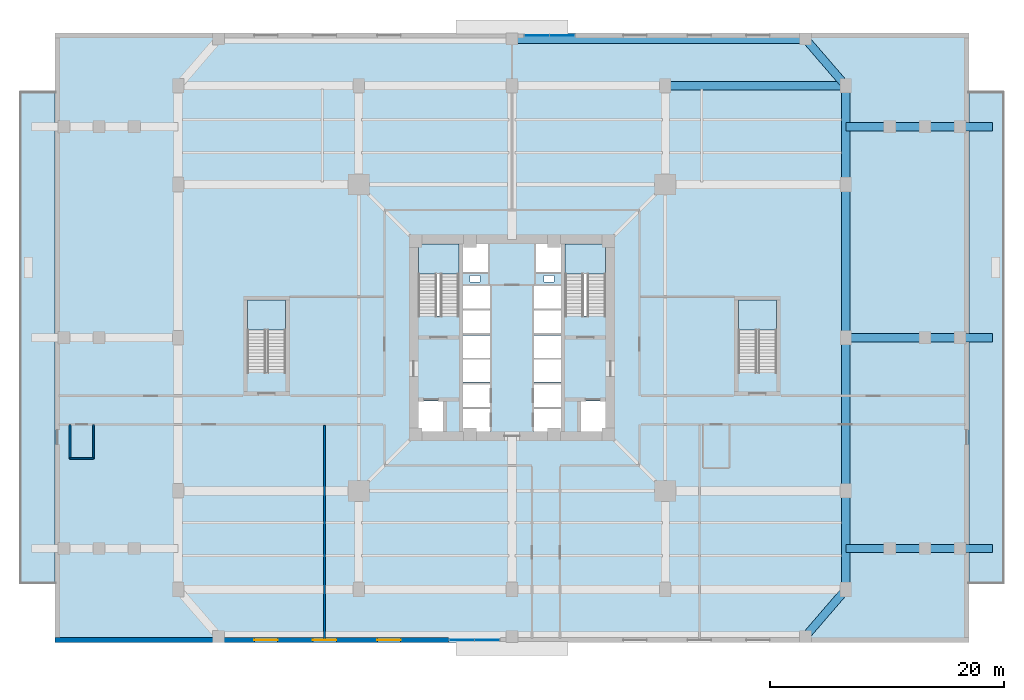
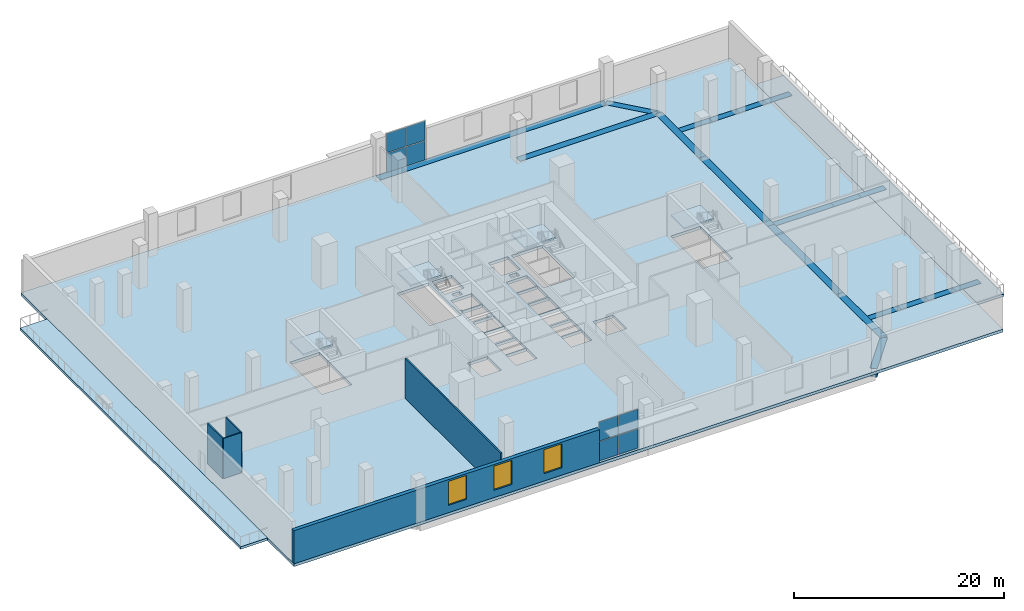
# One storey, part 5 of 17: 19 beams, 8 plates, 7 slabs, 5 walls, 3 windows, 3 openings, 6 elements without a shape of their own.
"""IFC4 building model written with IfcOpenShell, lengths in metres."""

from ifc_helpers import new_model, si_unit, direction, frame, frame_2d, origin, origin_2d, place, context, subcontext, project, spatial, polyline, rectangle, outline, extrude, source, transform, mapped, material, layer, layer_set, material_profile, profile_set, type_object, element, fill, aggregate, save


model = new_model("IFC4")

# Units and contexts
model_context = context("Model", 3, precision=1e-05, world=origin(), true_north=direction((0.0, 1.0)))
body_context = subcontext(model_context, "Body", "Model", "MODEL_VIEW")
ifc_project = project(units=[si_unit("LENGTHUNIT", "METRE"), si_unit("AREAUNIT", "SQUARE_METRE"), si_unit("VOLUMEUNIT", "CUBIC_METRE"), si_unit("PLANEANGLEUNIT", "RADIAN"), si_unit("MASSUNIT", "GRAM", prefix="KILO"), si_unit("THERMODYNAMICTEMPERATUREUNIT", "KELVIN")], contexts=[model_context])

# Site, building, storey
site_placement = place(None, origin())
site = spatial("IfcSite", under=ifc_project, at=site_placement, CompositionType="ELEMENT")
building_placement = place(site_placement, origin())
building = spatial("IfcBuilding", under=site, at=building_placement, Name="Kosmvard Interchange Tower", CompositionType="ELEMENT")
storey_placement = place(building_placement, frame((0.0, 0.0, 6.0)))
storey = spatial("IfcBuildingStorey", under=building, at=storey_placement, Name="L01", CompositionType="ELEMENT", Elevation=6.0)

# Beams
ifc_material_1 = material(Name="Concrete C60/75", Category="concrete")
ifc_material_profile_1 = material_profile(ifc_material_1, rectangle(XDim=0.75, YDim=1.050048828125, at=origin_2d()), Name="RCG 750x1050")
ifc_profile_set_1 = profile_set([ifc_material_profile_1], Name="Concrete C60/75")
beam_type_1 = type_object("IfcBeamType", Name="Concourse Mid-Span RC Girder 750x1050 C60/75", PredefinedType="BEAM", material=ifc_profile_set_1)
shared_shape_1 = source(origin(), body_context, "Body", "SweptSolid", [
    extrude(rectangle(XDim=0.75, YDim=1.050048828125, at=origin_2d()), origin(), (0.0, 0.0, 1.0), 15.4189453125),
])
beam_1_placement = place(storey_placement, frame((13.0810546875, 21.5, -0.52490234375), z_axis=(1.0, 0.0, 0.0), x_axis=(0.0, 1.0, 0.0)))
element("IfcBeam", 1, at=beam_1_placement, inside=storey, type_object=beam_type_1, Name="BM-L01-PG-N4", PredefinedType="BEAM", context=body_context, shape_type="MappedRepresentation", body=[
    mapped(shared_shape_1, transform((0.0, 0.0, 0.0), scale=1.0)),
])
shared_shape_2 = source(origin(), body_context, "Body", "SweptSolid", [
    extrude(rectangle(XDim=0.75, YDim=1.050048828125, at=origin_2d()), origin(), (0.0, 0.0, 1.0), 13.0810546875),
])
for number, where, z_axis, x_axis, name in (
    (2, (28.5, -13.0810546875, -0.52490234375), (0.0, 1.0, 0.0), (-1.0, 0.0, 0.0), "BM-L01-PG-E2"),
    (3, (28.5, 0.0, -0.52490234375), (0.0, 1.0, 0.0), (-1.0, 0.0, 0.0), "BM-L01-PG-E3"),
):
    element("IfcBeam", number, at=place(storey_placement, frame(where, z_axis=z_axis, x_axis=x_axis)), inside=storey, type_object=beam_type_1, Name=name, PredefinedType="BEAM", context=body_context, shape_type="MappedRepresentation", body=[
        mapped(shared_shape_2, transform((0.0, 0.0, 0.0), scale=1.0)),
    ])
shared_shape_3 = source(origin(), body_context, "Body", "SweptSolid", [
    extrude(rectangle(XDim=0.75, YDim=1.050048828125, at=origin_2d()), origin(), (0.0, 0.0, 1.0), 8.4189453125),
])
for number, where, z_axis, x_axis, name in (
    (4, (28.5, -21.5, -0.52490234375), (0.0, 1.0, 0.0), (-1.0, 0.0, 0.0), "BM-L01-PG-E1"),
    (5, (28.5, 13.0810546875, -0.52490234375), (0.0, 1.0, 0.0), (-1.0, 0.0, 0.0), "BM-L01-PG-E4"),
):
    element("IfcBeam", number, at=place(storey_placement, frame(where, z_axis=z_axis, x_axis=x_axis)), inside=storey, type_object=beam_type_1, Name=name, PredefinedType="BEAM", context=body_context, shape_type="MappedRepresentation", body=[
        mapped(shared_shape_3, transform((0.0, 0.0, 0.0), scale=1.0)),
    ])
ifc_material_profile_2 = material_profile(ifc_material_1, rectangle(XDim=0.800048828125, YDim=1.14990234375, at=origin_2d()), Name="RCG 800x1150")
ifc_profile_set_2 = profile_set([ifc_material_profile_2], Name="Concrete C60/75")
beam_type_2 = type_object("IfcBeamType", Name="Concourse Long-Span RC Girder 800x1150 C60/75", PredefinedType="BEAM", material=ifc_profile_set_2)
shared_shape_4 = source(origin(), body_context, "Body", "SweptSolid", [
    extrude(rectangle(XDim=0.800048828125, YDim=1.14990234375, at=origin_2d()), origin(), (0.0, 0.0, 1.0), 25.050048828125),
])
beam_2_placement = place(storey_placement, frame((0.0, 25.5, -0.574951171875), z_axis=(1.0, 0.0, 0.0), x_axis=(0.0, 1.0, 0.0)))
element("IfcBeam", 6, at=beam_2_placement, inside=storey, type_object=beam_type_2, Name="BM-L01-PG-TN2", PredefinedType="BEAM", context=body_context, shape_type="MappedRepresentation", body=[
    mapped(shared_shape_4, transform((0.0, 0.0, 0.0), scale=1.0)),
])
ifc_material_profile_3 = material_profile(ifc_material_1, rectangle(XDim=0.699951171875, YDim=1.0, at=origin_2d()), Name="RCG 700x1000")
ifc_profile_set_3 = profile_set([ifc_material_profile_3], Name="Concrete C60/75")
beam_type_3 = type_object("IfcBeamType", Name="Concourse Primary RC Girder 700x1000 C60/75", PredefinedType="BEAM", material=ifc_profile_set_3)
shared_shape_5 = source(origin(), body_context, "Body", "SweptSolid", [
    extrude(rectangle(XDim=0.699951171875, YDim=1.0, at=origin_2d()), origin(), (0.0, 0.0, 1.0), 5.2822265625),
])
for number, where, z_axis, x_axis, name in (
    (7, (25.050048828125, -25.5, -0.5), (0.653121547432, 0.757253091298, 0.0), (-0.757253091298, 0.653121547432, 0.0), "BM-L01-PG-TSR"),
    (8, (25.050048828125, 25.5, -0.5), (0.653121547432, -0.757253091298, 0.0), (0.757253091298, 0.653121547432, 0.0), "BM-L01-PG-TNR"),
):
    element("IfcBeam", number, at=place(storey_placement, frame(where, z_axis=z_axis, x_axis=x_axis)), inside=storey, type_object=beam_type_3, Name=name, PredefinedType="BEAM", context=body_context, shape_type="MappedRepresentation", body=[
        mapped(shared_shape_5, transform((0.0, 0.0, 0.0), scale=1.0)),
    ])
shared_shape_6 = source(origin(), body_context, "Body", "SweptSolid", [
    extrude(rectangle(XDim=0.699951171875, YDim=1.0, at=origin_2d()), origin(), (0.0, 0.0, 1.0), 3.75),
])
for number, where, z_axis, x_axis, name in (
    (9, (28.5, -18.0, -0.5), (1.0, 0.0, 0.0), (0.0, 1.0, 0.0), "BM-L01-PG-TCE11"),
    (10, (28.5, 18.0, -0.5), (1.0, 0.0, 0.0), (0.0, 1.0, 0.0), "BM-L01-PG-TCE31"),
):
    element("IfcBeam", number, at=place(storey_placement, frame(where, z_axis=z_axis, x_axis=x_axis)), inside=storey, type_object=beam_type_3, Name=name, PredefinedType="BEAM", context=body_context, shape_type="MappedRepresentation", body=[
        mapped(shared_shape_6, transform((0.0, 0.0, 0.0), scale=1.0)),
    ])
shared_shape_7 = source(origin(), body_context, "Body", "SweptSolid", [
    extrude(rectangle(XDim=0.699951171875, YDim=1.0, at=origin_2d()), origin(), (0.0, 0.0, 1.0), 3.0),
])
for number, where, z_axis, x_axis, name in (
    (11, (32.25, -18.0, -0.5), (1.0, 0.0, 0.0), (0.0, 1.0, 0.0), "BM-L01-PG-TCE12"),
    (12, (35.25, -18.0, -0.5), (1.0, 0.0, 0.0), (0.0, 1.0, 0.0), "BM-L01-PG-TCE13"),
    (13, (35.25, 0.0, -0.5), (1.0, 0.0, 0.0), (0.0, 1.0, 0.0), "BM-L01-PG-TCE22"),
    (14, (32.25, 18.0, -0.5), (1.0, 0.0, 0.0), (0.0, 1.0, 0.0), "BM-L01-PG-TCE32"),
    (15, (35.25, 18.0, -0.5), (1.0, 0.0, 0.0), (0.0, 1.0, 0.0), "BM-L01-PG-TCE33"),
):
    element("IfcBeam", number, at=place(storey_placement, frame(where, z_axis=z_axis, x_axis=x_axis)), inside=storey, type_object=beam_type_3, Name=name, PredefinedType="BEAM", context=body_context, shape_type="MappedRepresentation", body=[
        mapped(shared_shape_7, transform((0.0, 0.0, 0.0), scale=1.0)),
    ])
shared_shape_8 = source(origin(), body_context, "Body", "SweptSolid", [
    extrude(rectangle(XDim=0.699951171875, YDim=1.0, at=origin_2d()), origin(), (0.0, 0.0, 1.0), 2.75),
])
for number, where, z_axis, x_axis, name in (
    (16, (38.25, -18.0, -0.5), (1.0, 0.0, 0.0), (0.0, 1.0, 0.0), "BM-L01-PG-TCE14"),
    (17, (38.25, 0.0, -0.5), (1.0, 0.0, 0.0), (0.0, 1.0, 0.0), "BM-L01-PG-TCE23"),
    (18, (38.25, 18.0, -0.5), (1.0, 0.0, 0.0), (0.0, 1.0, 0.0), "BM-L01-PG-TCE34"),
):
    element("IfcBeam", number, at=place(storey_placement, frame(where, z_axis=z_axis, x_axis=x_axis)), inside=storey, type_object=beam_type_3, Name=name, PredefinedType="BEAM", context=body_context, shape_type="MappedRepresentation", body=[
        mapped(shared_shape_8, transform((0.0, 0.0, 0.0), scale=1.0)),
    ])
shared_shape_9 = source(origin(), body_context, "Body", "SweptSolid", [
    extrude(rectangle(XDim=0.699951171875, YDim=1.0, at=origin_2d()), origin(), (0.0, 0.0, 1.0), 6.75),
])
beam_3_placement = place(storey_placement, frame((28.5, 0.0, -0.5), z_axis=(1.0, 0.0, 0.0), x_axis=(0.0, 1.0, 0.0)))
element("IfcBeam", 19, at=beam_3_placement, inside=storey, type_object=beam_type_3, Name="BM-L01-PG-TCE21", PredefinedType="BEAM", context=body_context, shape_type="MappedRepresentation", body=[
    mapped(shared_shape_9, transform((0.0, 0.0, 0.0), scale=1.0)),
])

# Slabs
ifc_material_2 = material(Name="Precast concrete C45/55", Category="concrete")
ifc_layer_1 = layer(ifc_material_2, 0.2900390625, Name="Precast concrete C45/55")
ifc_layer_set_1 = layer_set([ifc_layer_1], Name="Precast concrete C45/55")
slab_type_1 = type_object("IfcSlabType", Name="Cascade Garden Terrace Slab 290 C45/55", PredefinedType="FLOOR", material=ifc_layer_set_1)
slab_1_placement = place(storey_placement, frame((0.0, 0.0, -0.2900390625)))
element("IfcSlab", 20, at=slab_1_placement, inside=storey, type_object=slab_type_1, Name="L01 Outdoor Terrace Balcony Slab TER-L01-W", PredefinedType="FLOOR", context=body_context, shape_type="SweptSolid", body=[
    extrude(outline(polyline([(-42.0, -21.0), (-39.0, -21.0), (-39.0, 21.0), (-42.0, 21.0), (-42.0, -21.0)])), origin(), (0.0, 0.0, 1.0), 0.2900390625),
])
slab_2_placement = place(storey_placement, frame((0.0, 0.0, -0.2900390625)))
element("IfcSlab", 21, at=slab_2_placement, inside=storey, type_object=slab_type_1, Name="L01 Outdoor Terrace Balcony Slab TER-L01-E", PredefinedType="FLOOR", context=body_context, shape_type="SweptSolid", body=[
    extrude(outline(polyline([(39.0, -21.0), (42.0, -21.0), (42.0, 21.0), (39.0, 21.0), (39.0, -21.0)])), origin(), (0.0, 0.0, 1.0), 0.2900390625),
])
ifc_material_3 = material(Name="Concrete C50/60", Category="concrete")
ifc_layer_2 = layer(ifc_material_3, 0.340087890625, Name="Concrete C50/60")
ifc_layer_set_2 = layer_set([ifc_layer_2], Name="Concrete C50/60")
slab_type_2 = type_object("IfcSlabType", Name="Podium Commercial Floor Slab 340 C50/60", PredefinedType="FLOOR", material=ifc_layer_set_2)
slab_3_placement = place(storey_placement, frame((0.0, 0.0, -0.340087890625)))
element("IfcSlab", 22, at=slab_3_placement, inside=storey, type_object=slab_type_2, Name="L01 Structural Floor Slab", PredefinedType="FLOOR", context=body_context, shape_type="SweptSolid", body=[
    extrude(outline(polyline([(-39.0, -26.0), (39.0, -26.0), (39.0, 26.0), (-39.0, 26.0), (-39.0, -26.0)]), holes=[polyline([(-8.0, 1.8349609375), (-4.5400390625, 1.8349609375), (-4.5400390625, 8.0), (-8.0, 8.0), (-8.0, 1.8349609375)]), polyline([(4.5400390625, 1.8349609375), (8.0, 1.8349609375), (8.0, 8.0), (4.5400390625, 8.0), (4.5400390625, 1.8349609375)]), polyline([(-22.580078125, -2.965087890625), (-19.320068359375, -2.965087890625), (-19.320068359375, 3.199951171875), (-22.580078125, 3.199951171875), (-22.580078125, -2.965087890625)]), polyline([(19.320068359375, -2.965087890625), (22.580078125, -2.965087890625), (22.580078125, 3.199951171875), (19.320068359375, 3.199951171875), (19.320068359375, -2.965087890625)]), polyline([(-8.0, -8.0), (-5.800048828125, -8.0), (-5.800048828125, -5.39990234375), (-8.0, -5.39990234375), (-8.0, -8.0)]), polyline([(5.800048828125, -8.0), (8.0, -8.0), (8.0, -5.39990234375), (5.800048828125, -5.39990234375), (5.800048828125, -8.0)]), polyline([(-4.179931640625, -8.0), (-1.8798828125, -8.0), (-1.8798828125, -6.06005859375), (-4.179931640625, -6.06005859375), (-4.179931640625, -8.0)]), polyline([(-4.179931640625, -5.93994140625), (-1.8798828125, -5.93994140625), (-1.8798828125, -4.0), (-4.179931640625, -4.0), (-4.179931640625, -5.93994140625)]), polyline([(1.8798828125, -8.0), (4.179931640625, -8.0), (4.179931640625, -6.06005859375), (1.8798828125, -6.06005859375), (1.8798828125, -8.0)]), polyline([(1.8798828125, -5.93994140625), (4.179931640625, -5.93994140625), (4.179931640625, -4.0), (1.8798828125, -4.0), (1.8798828125, -5.93994140625)]), polyline([(-4.179931640625, -3.800048828125), (-1.8798828125, -3.800048828125), (-1.8798828125, -1.860107421875), (-4.179931640625, -1.860107421875), (-4.179931640625, -3.800048828125)]), polyline([(-4.179931640625, -1.739990234375), (-1.8798828125, -1.739990234375), (-1.8798828125, 0.199951171875), (-4.179931640625, 0.199951171875), (-4.179931640625, -1.739990234375)]), polyline([(1.8798828125, -3.800048828125), (4.179931640625, -3.800048828125), (4.179931640625, -1.860107421875), (1.8798828125, -1.860107421875), (1.8798828125, -3.800048828125)]), polyline([(1.8798828125, -1.739990234375), (4.179931640625, -1.739990234375), (4.179931640625, 0.199951171875), (1.8798828125, 0.199951171875), (1.8798828125, -1.739990234375)]), polyline([(-4.179931640625, 0.39990234375), (-1.8798828125, 0.39990234375), (-1.8798828125, 2.340087890625), (-4.179931640625, 2.340087890625), (-4.179931640625, 0.39990234375)]), polyline([(-4.179931640625, 2.4599609375), (-1.8798828125, 2.4599609375), (-1.8798828125, 4.39990234375), (-4.179931640625, 4.39990234375), (-4.179931640625, 2.4599609375)]), polyline([(1.8798828125, 0.39990234375), (4.179931640625, 0.39990234375), (4.179931640625, 2.340087890625), (1.8798828125, 2.340087890625), (1.8798828125, 0.39990234375)]), polyline([(1.8798828125, 2.4599609375), (4.179931640625, 2.4599609375), (4.179931640625, 4.39990234375), (1.8798828125, 4.39990234375), (1.8798828125, 2.4599609375)]), polyline([(-4.179931640625, 5.60009765625), (-2.0400390625, 5.60009765625), (-2.0400390625, 8.0), (-4.179931640625, 8.0), (-4.179931640625, 5.60009765625)]), polyline([(2.0400390625, 5.60009765625), (4.179931640625, 5.60009765625), (4.179931640625, 8.0), (2.0400390625, 8.0), (2.0400390625, 5.60009765625)]), polyline([(-3.56494140625, 4.739990234375), (-2.715087890625, 4.739990234375), (-2.715087890625, 5.2900390625), (-3.56494140625, 5.2900390625), (-3.56494140625, 4.739990234375)]), polyline([(2.715087890625, 4.739990234375), (3.56494140625, 4.739990234375), (3.56494140625, 5.2900390625), (2.715087890625, 5.2900390625), (2.715087890625, 4.739990234375)])]), origin(), (0.0, 0.0, 1.0), 0.340087890625),
])

# Stair, slab
stair_type = type_object("IfcStairType", Name="Dog-Leg Core Exit Stair H5000 C50/60", PredefinedType="HALF_TURN_STAIR", material=ifc_material_3)
stair_1_placement = place(storey_placement, origin())
stair_1 = element("IfcStair", 23, at=stair_1_placement, inside=storey, type_object=stair_type, Name="L01 Protected Exit Stair ST-1", PredefinedType="HALF_TURN_STAIR")
ifc_layer_3 = layer(ifc_material_3, 0.199951171875, Name="Concrete C50/60")
ifc_layer_set_3 = layer_set([ifc_layer_3], Name="Concrete C50/60")
slab_type_3 = type_object("IfcSlabType", Name="Stair Half-Landing Slab 200 C50/60", PredefinedType="LANDING", material=ifc_layer_set_3)
slab_4_placement = place(storey_placement, frame((0.0, 0.0, 2.300048828125)))
slab_4 = element("IfcSlab", 24, at=slab_4_placement, type_object=slab_type_3, Name="ST-1 landing 1", PredefinedType="LANDING", context=body_context, shape_type="SweptSolid", body=[
    extrude(outline(polyline([(-4.5400390625, 5.43994140625), (-4.5400390625, 8.0), (-8.0, 8.0), (-8.0, 5.43994140625), (-4.5400390625, 5.43994140625)])), origin(), (0.0, 0.0, 1.0), 0.199951171875),
])
aggregate(stair_1, [slab_4])

stair_2_placement = place(storey_placement, origin())
stair_2 = element("IfcStair", 25, at=stair_2_placement, inside=storey, type_object=stair_type, Name="L01 Protected Exit Stair ST-2", PredefinedType="HALF_TURN_STAIR")
slab_5_placement = place(storey_placement, frame((0.0, 0.0, 2.300048828125)))
slab_5 = element("IfcSlab", 26, at=slab_5_placement, type_object=slab_type_3, Name="ST-2 landing 1", PredefinedType="LANDING", context=body_context, shape_type="SweptSolid", body=[
    extrude(outline(polyline([(8.0, 5.43994140625), (8.0, 8.0), (4.5400390625, 8.0), (4.5400390625, 5.43994140625), (8.0, 5.43994140625)])), origin(), (0.0, 0.0, 1.0), 0.199951171875),
])
aggregate(stair_2, [slab_5])

stair_3_placement = place(storey_placement, origin())
stair_3 = element("IfcStair", 27, at=stair_3_placement, inside=storey, type_object=stair_type, Name="L01 Podium Concourse Stair ST-3", PredefinedType="HALF_TURN_STAIR")
slab_6_placement = place(storey_placement, frame((0.0, 0.0, 2.300048828125)))
slab_6 = element("IfcSlab", 28, at=slab_6_placement, type_object=slab_type_3, Name="ST-3 landing 1", PredefinedType="LANDING", context=body_context, shape_type="SweptSolid", body=[
    extrude(outline(polyline([(-19.320068359375, 0.639892578125), (-19.320068359375, 3.199951171875), (-22.580078125, 3.199951171875), (-22.580078125, 0.639892578125), (-19.320068359375, 0.639892578125)])), origin(), (0.0, 0.0, 1.0), 0.199951171875),
])
aggregate(stair_3, [slab_6])

stair_4_placement = place(storey_placement, origin())
stair_4 = element("IfcStair", 29, at=stair_4_placement, inside=storey, type_object=stair_type, Name="L01 Podium Concourse Stair ST-4", PredefinedType="HALF_TURN_STAIR")
slab_7_placement = place(storey_placement, frame((0.0, 0.0, 2.300048828125)))
slab_7 = element("IfcSlab", 30, at=slab_7_placement, type_object=slab_type_3, Name="ST-4 landing 1", PredefinedType="LANDING", context=body_context, shape_type="SweptSolid", body=[
    extrude(outline(polyline([(22.580078125, 0.639892578125), (22.580078125, 3.199951171875), (19.320068359375, 3.199951171875), (19.320068359375, 0.639892578125), (22.580078125, 0.639892578125)])), origin(), (0.0, 0.0, 1.0), 0.199951171875),
])
aggregate(stair_4, [slab_7])

# Curtain wall, plates
ifc_material_4 = material(Name="Architectural anodised aluminium", Category="aluminium")
ifc_layer_4 = layer(ifc_material_4, 0.199951171875, Name="Architectural anodised aluminium")
ifc_layer_set_4 = layer_set([ifc_layer_4], Name="Architectural anodised aluminium")
curtain_wall_type = type_object("IfcCurtainWallType", Name="CW-2 Cascade Terrace Hall Curtain Wall", PredefinedType="NOTDEFINED", material=ifc_layer_set_4)
curtain_wall_1_placement = place(storey_placement, origin())
curtain_wall_1 = element("IfcCurtainWall", 31, at=curtain_wall_1_placement, inside=storey, type_object=curtain_wall_type, Name="L01 South Terrace Hall Curtain Wall", PredefinedType="NOTDEFINED")
ifc_material_5 = material(Name="Low-E solar-control double glazing", Category="glass")
ifc_layer_5 = layer(ifc_material_5, 0.031982421875, Name="Low-E solar-control double glazing")
ifc_layer_set_5 = layer_set([ifc_layer_5], Name="Low-E solar-control double glazing")
plate_type = type_object("IfcPlateType", Name="Sky-Garden Vision Curtain Panel 32", PredefinedType="CURTAIN_PANEL", material=ifc_layer_set_5)
shared_shape_10 = source(origin(), body_context, "Body", "SweptSolid", [
    extrude(rectangle(XDim=2.094970703125, YDim=0.031982421875, at=origin_2d()), origin(), (0.0, 0.0, 1.0), 2.232421875),
])
plate_1_placement = place(storey_placement, frame((-4.282470703125, -25.800048828125, 0.06494140625), z_axis=(0.0, 0.0, 1.0), x_axis=(1.0, 0.0, 0.0)))
plate_1 = element("IfcPlate", 32, at=plate_1_placement, type_object=plate_type, Name="CW-2 panel 1.1", PredefinedType="CURTAIN_PANEL", context=body_context, shape_type="MappedRepresentation", body=[
    mapped(shared_shape_10, transform((0.0, 0.0, 0.0), scale=1.0)),
])
plate_2_placement = place(storey_placement, frame((-4.282470703125, -25.800048828125, 2.362548828125), z_axis=(0.0, 0.0, 1.0), x_axis=(1.0, 0.0, 0.0)))
plate_2 = element("IfcPlate", 33, at=plate_2_placement, type_object=plate_type, Name="CW-2 panel 1.2", PredefinedType="CURTAIN_PANEL", context=body_context, shape_type="MappedRepresentation", body=[
    mapped(shared_shape_10, transform((0.0, 0.0, 0.0), scale=1.0)),
])
plate_3_placement = place(storey_placement, frame((-2.117431640625, -25.800048828125, 0.06494140625), z_axis=(0.0, 0.0, 1.0), x_axis=(1.0, 0.0, 0.0)))
plate_3 = element("IfcPlate", 34, at=plate_3_placement, type_object=plate_type, Name="CW-2 panel 2.1", PredefinedType="CURTAIN_PANEL", context=body_context, shape_type="MappedRepresentation", body=[
    mapped(shared_shape_10, transform((0.0, 0.0, 0.0), scale=1.0)),
])
plate_4_placement = place(storey_placement, frame((-2.117431640625, -25.800048828125, 2.362548828125), z_axis=(0.0, 0.0, 1.0), x_axis=(1.0, 0.0, 0.0)))
plate_4 = element("IfcPlate", 35, at=plate_4_placement, type_object=plate_type, Name="CW-2 panel 2.2", PredefinedType="CURTAIN_PANEL", context=body_context, shape_type="MappedRepresentation", body=[
    mapped(shared_shape_10, transform((0.0, 0.0, 0.0), scale=1.0)),
])
aggregate(curtain_wall_1, [plate_1, plate_2, plate_3, plate_4])

curtain_wall_2_placement = place(storey_placement, origin())
curtain_wall_2 = element("IfcCurtainWall", 36, at=curtain_wall_2_placement, inside=storey, type_object=curtain_wall_type, Name="L01 North Terrace Hall Curtain Wall", PredefinedType="NOTDEFINED")
plate_5_placement = place(storey_placement, frame((2.117431640625, 25.800048828125, 0.06494140625), z_axis=(0.0, 0.0, 1.0), x_axis=(1.0, 0.0, 0.0)))
plate_5 = element("IfcPlate", 37, at=plate_5_placement, type_object=plate_type, Name="CW-2 panel 1.1", PredefinedType="CURTAIN_PANEL", context=body_context, shape_type="MappedRepresentation", body=[
    mapped(shared_shape_10, transform((0.0, 0.0, 0.0), scale=1.0)),
])
plate_6_placement = place(storey_placement, frame((2.117431640625, 25.800048828125, 2.362548828125), z_axis=(0.0, 0.0, 1.0), x_axis=(1.0, 0.0, 0.0)))
plate_6 = element("IfcPlate", 38, at=plate_6_placement, type_object=plate_type, Name="CW-2 panel 1.2", PredefinedType="CURTAIN_PANEL", context=body_context, shape_type="MappedRepresentation", body=[
    mapped(shared_shape_10, transform((0.0, 0.0, 0.0), scale=1.0)),
])
plate_7_placement = place(storey_placement, frame((4.282470703125, 25.800048828125, 0.06494140625), z_axis=(0.0, 0.0, 1.0), x_axis=(1.0, 0.0, 0.0)))
plate_7 = element("IfcPlate", 39, at=plate_7_placement, type_object=plate_type, Name="CW-2 panel 2.1", PredefinedType="CURTAIN_PANEL", context=body_context, shape_type="MappedRepresentation", body=[
    mapped(shared_shape_10, transform((0.0, 0.0, 0.0), scale=1.0)),
])
plate_8_placement = place(storey_placement, frame((4.282470703125, 25.800048828125, 2.362548828125), z_axis=(0.0, 0.0, 1.0), x_axis=(1.0, 0.0, 0.0)))
plate_8 = element("IfcPlate", 40, at=plate_8_placement, type_object=plate_type, Name="CW-2 panel 2.2", PredefinedType="CURTAIN_PANEL", context=body_context, shape_type="MappedRepresentation", body=[
    mapped(shared_shape_10, transform((0.0, 0.0, 0.0), scale=1.0)),
])
aggregate(curtain_wall_2, [plate_5, plate_6, plate_7, plate_8])

# Wall
ifc_material_6 = material(Name="Acoustic gypsum partition system")
ifc_layer_6 = layer(ifc_material_6, 0.14990234375, Name="Acoustic gypsum partition system")
ifc_layer_set_6 = layer_set([ifc_layer_6], Name="Acoustic gypsum partition system")
wall_type_1 = type_object("IfcWallType", Name="Acoustic Suite & Meeting Partition 150", PredefinedType="PARTITIONING", material=ifc_layer_set_6)
wall_1_placement = place(storey_placement, frame((-16.0, -25.6650390625, 0.0), z_axis=(0.0, 0.0, 1.0), x_axis=(0.0, 1.0, 0.0)))
element("IfcWall", 41, at=wall_1_placement, inside=storey, type_object=wall_type_1, Name="L01 Room Partition 04.1", PredefinedType="PARTITIONING", context=body_context, shape_type="SweptSolid", body=[
    extrude(rectangle(XDim=18.169921875, YDim=0.14990234375, at=frame_2d((9.0849609375, 0.0))), origin(), (0.0, 0.0, 1.0), 4.659912109375),
])

# Wall, openings, windows
ifc_layer_7 = layer(ifc_material_2, 0.39990234375, Name="Precast concrete C45/55")
ifc_layer_set_7 = layer_set([ifc_layer_7], Name="Precast concrete C45/55")
wall_type_2 = type_object("IfcWallType", Name="Podium Precast Stone Pier Wall 400 C45/55", PredefinedType="STANDARD", material=ifc_layer_set_7)
wall_2_placement = place(storey_placement, frame((-39.0, -25.800048828125, 0.0), z_axis=(0.0, 0.0, 1.0), x_axis=(1.0, 0.0, 0.0)))
wall_2 = element("IfcWall", 42, at=wall_2_placement, inside=storey, type_object=wall_type_2, Name="L01 Podium Precast Wall EW-S1", PredefinedType="STANDARD", context=body_context, shape_type="SweptSolid", body=[
    extrude(rectangle(XDim=33.60009765625, YDim=0.39990234375, at=frame_2d((16.800048828125, 0.0))), origin(), (0.0, 0.0, 1.0), 3.85009765625),
])
opening_1_placement = place(wall_2_placement, frame((17.0, 0.0, 0.85009765625)))
opening_1 = element("IfcOpeningElement", 43, at=opening_1_placement, cuts=wall_2, Name="Opening L01-W1", PredefinedType="OPENING", context=body_context, shape_type="SweptSolid", body=[
    extrude(rectangle(XDim=2.0, YDim=2.800048828125, at=frame_2d((1.0, 1.39990234375))), frame((0.0, 0.2099609375, 0.0), z_axis=(0.0, -1.0, 0.0), x_axis=(1.0, 0.0, 0.0)), (0.0, 0.0, 1.0), 0.419921875),
])
opening_2_placement = place(wall_2_placement, frame((22.0, 0.0, 0.85009765625)))
opening_2 = element("IfcOpeningElement", 44, at=opening_2_placement, cuts=wall_2, Name="Opening L01-W2", PredefinedType="OPENING", context=body_context, shape_type="SweptSolid", body=[
    extrude(rectangle(XDim=2.0, YDim=2.800048828125, at=frame_2d((1.0, 1.39990234375))), frame((0.0, 0.2099609375, 0.0), z_axis=(0.0, -1.0, 0.0), x_axis=(1.0, 0.0, 0.0)), (0.0, 0.0, 1.0), 0.419921875),
])
opening_3_placement = place(wall_2_placement, frame((27.5, 0.0, 0.85009765625)))
opening_3 = element("IfcOpeningElement", 45, at=opening_3_placement, cuts=wall_2, Name="Opening L01-W3", PredefinedType="OPENING", context=body_context, shape_type="SweptSolid", body=[
    extrude(rectangle(XDim=2.0, YDim=2.800048828125, at=frame_2d((1.0, 1.39990234375))), frame((0.0, 0.2099609375, 0.0), z_axis=(0.0, -1.0, 0.0), x_axis=(1.0, 0.0, 0.0)), (0.0, 0.0, 1.0), 0.419921875),
])
window_type = type_object("IfcWindowType", Name="Podium Lounge Punched Window 2000x2800", PartitioningType="SINGLE_PANEL", PredefinedType="WINDOW", material=ifc_material_5)
shared_shape_11 = source(origin(), body_context, "Body", "SweptSolid", [
    extrude(rectangle(XDim=2.0, YDim=2.800048828125, at=frame_2d((1.0, 1.39990234375))), frame((0.0, 0.030029296875, 0.0), z_axis=(0.0, -1.0, 0.0), x_axis=(1.0, 0.0, 0.0)), (0.0, 0.0, 1.0), 0.06005859375),
])
window_1_placement = place(opening_1_placement, origin())
window_1 = element("IfcWindow", 46, at=window_1_placement, inside=storey, type_object=window_type, Name="L01 Podium Window 1", OverallHeight=2.800048828125, OverallWidth=2.0, PartitioningType="SINGLE_PANEL", PredefinedType="WINDOW", context=body_context, shape_type="MappedRepresentation", body=[
    mapped(shared_shape_11, transform((0.0, 0.0, 0.0), scale=1.0)),
])
fill(opening_1, window_1)
window_2_placement = place(opening_2_placement, origin())
window_2 = element("IfcWindow", 47, at=window_2_placement, inside=storey, type_object=window_type, Name="L01 Podium Window 2", OverallHeight=2.800048828125, OverallWidth=2.0, PartitioningType="SINGLE_PANEL", PredefinedType="WINDOW", context=body_context, shape_type="MappedRepresentation", body=[
    mapped(shared_shape_11, transform((0.0, 0.0, 0.0), scale=1.0)),
])
fill(opening_2, window_2)
window_3_placement = place(opening_3_placement, origin())
window_3 = element("IfcWindow", 48, at=window_3_placement, inside=storey, type_object=window_type, Name="L01 Podium Window 3", OverallHeight=2.800048828125, OverallWidth=2.0, PartitioningType="SINGLE_PANEL", PredefinedType="WINDOW", context=body_context, shape_type="MappedRepresentation", body=[
    mapped(shared_shape_11, transform((0.0, 0.0, 0.0), scale=1.0)),
])
fill(opening_3, window_3)

# Walls
ifc_material_7 = material(Name="Moisture-resistant gypsum partition")
ifc_layer_8 = layer(ifc_material_7, 0.135009765625, Name="Moisture-resistant gypsum partition")
ifc_layer_set_8 = layer_set([ifc_layer_8], Name="Moisture-resistant gypsum partition")
wall_type_3 = type_object("IfcWallType", Name="Wet Room Moisture-Resistant Partition 135", PredefinedType="PARTITIONING", material=ifc_layer_set_8)
wall_3_placement = place(storey_placement, frame((-37.735107421875, -10.320068359375, 0.0), z_axis=(0.0, 0.0, 1.0), x_axis=(1.0, 0.0, 0.0)))
element("IfcWall", 49, at=wall_3_placement, inside=storey, type_object=wall_type_3, Name="L01 Washroom Partition AWC1-S", PredefinedType="PARTITIONING", context=body_context, shape_type="SweptSolid", body=[
    extrude(rectangle(XDim=2.0, YDim=0.135009765625, at=frame_2d((1.0, 0.0))), origin(), (0.0, 0.0, 1.0), 4.659912109375),
])
for number, where, z_axis, x_axis, name in (
    (50, (-35.735107421875, -10.320068359375, 0.0), (0.0, 0.0, 1.0), (0.0, 1.0, 0.0), "L01 Washroom Partition AWC1-E"),
    (51, (-37.735107421875, -10.320068359375, 0.0), (0.0, 0.0, 1.0), (0.0, 1.0, 0.0), "L01 Washroom Partition AWC1-W"),
):
    element("IfcWall", number, at=place(storey_placement, frame(where, z_axis=z_axis, x_axis=x_axis)), inside=storey, type_object=wall_type_3, Name=name, PredefinedType="PARTITIONING", context=body_context, shape_type="SweptSolid", body=[
        extrude(rectangle(XDim=2.900146484375, YDim=0.135009765625, at=frame_2d((1.4501953125, 0.0))), origin(), (0.0, 0.0, 1.0), 4.659912109375),
    ])

save(model, "model.ifc")
